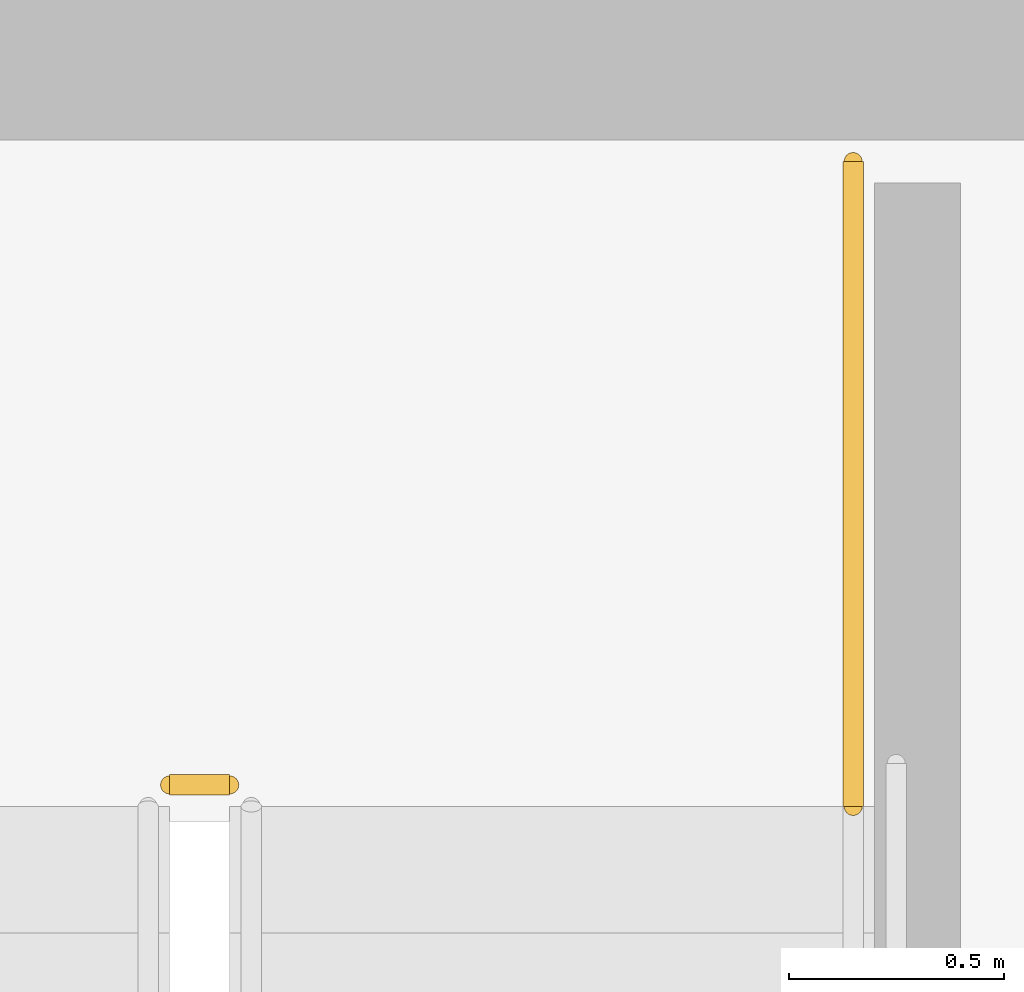
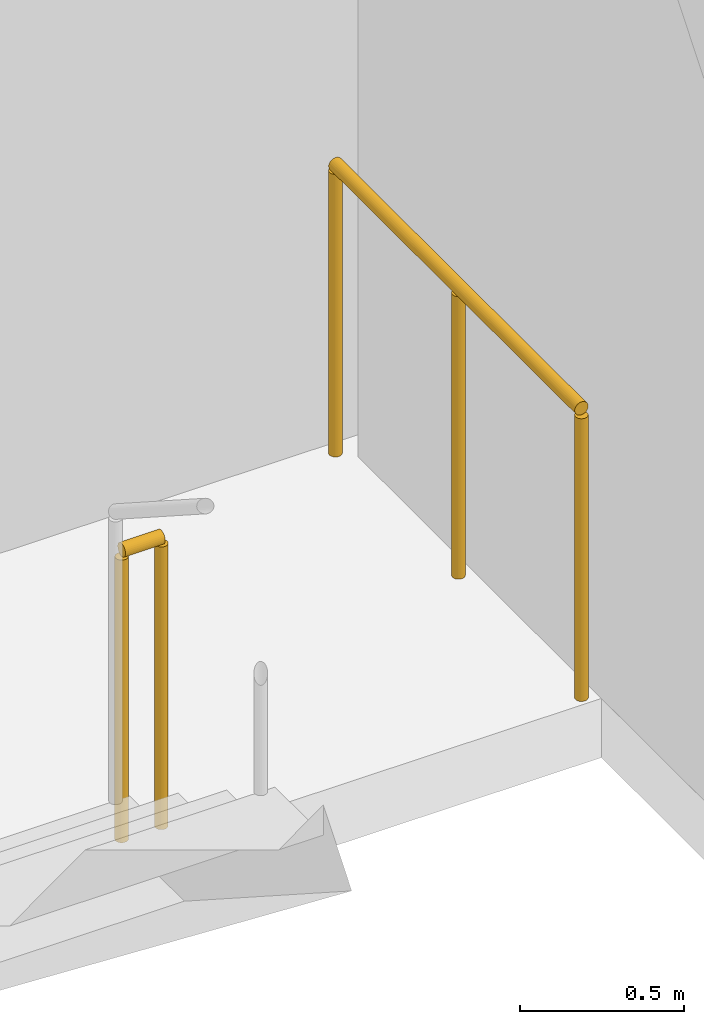
# One storey, part 35 of 35: 2 railings.
"""IFC4 building model written with IfcOpenShell, lengths in metres."""

from ifc_helpers import new_model, si_unit, direction, frame, origin, origin_2d, place, context, subcontext, project, spatial, circle, extrude, material, layer, layer_set, type_object, element, save


model = new_model("IFC4")

# Units and contexts
model_context = context("Model", 3, precision=1e-05, world=origin(), true_north=direction((0.0, 1.0)))
body_context = subcontext(model_context, "Body", "Model", "MODEL_VIEW")
ifc_project = project(units=[si_unit("LENGTHUNIT", "METRE"), si_unit("AREAUNIT", "SQUARE_METRE"), si_unit("VOLUMEUNIT", "CUBIC_METRE"), si_unit("PLANEANGLEUNIT", "RADIAN"), si_unit("MASSUNIT", "GRAM", prefix="KILO")], contexts=[model_context])

# Site, building, storey
site_placement = place(None, origin())
site = spatial("IfcSite", under=ifc_project, at=site_placement, CompositionType="ELEMENT")
building_placement = place(site_placement, origin())
building = spatial("IfcBuilding", under=site, at=building_placement, Name="Ndaravel Arena Tower", CompositionType="ELEMENT")
storey_placement = place(building_placement, frame((0.0, 0.0, 275.0)))
storey = spatial("IfcBuildingStorey", under=building, at=storey_placement, Name="L67", CompositionType="ELEMENT", Elevation=275.0)

# Railings
ifc_material = material(Name="Steel S355", Category="steel")
ifc_layer = layer(ifc_material, 0.06005859375)
ifc_layer_set = layer_set([ifc_layer], Name="Steel S355")
railing_type = type_object("IfcRailingType", Name="RAIL-STAIR-GD1100", PredefinedType="GUARDRAIL", material=ifc_layer_set)
railing_1_placement = place(storey_placement, frame((55.10009765625, 13.300048828125, 0.0)))
element("IfcRailing", 1, at=railing_1_placement, inside=storey, type_object=railing_type, Name="L67 ST-3 stair guard 4", PredefinedType="GUARDRAIL", context=body_context, shape_type="SweptSolid", body=[
    extrude(circle(Radius=0.02392578125, at=origin_2d()), frame((0.0, 0.0, 1.076171875), z_axis=(1.0, 0.0, 0.0), x_axis=(0.0, 1.0, 0.0)), (0.0, 0.0, 1.0), 0.139892578125),
    extrude(circle(Radius=0.02099609375, at=origin_2d()), origin(), (0.0, 0.0, 1.0), 1.052001953125),
    extrude(circle(Radius=0.02099609375, at=origin_2d()), frame((0.139892578125, 0.0, 0.0)), (0.0, 0.0, 1.0), 1.052001953125),
])
railing_2_placement = place(storey_placement, frame((56.68994140625, 14.75, 0.0)))
element("IfcRailing", 2, at=railing_2_placement, inside=storey, type_object=railing_type, Name="L67 ST-3 stair guard 5", PredefinedType="GUARDRAIL", context=body_context, shape_type="SweptSolid", body=[
    extrude(circle(Radius=0.02392578125, at=origin_2d()), frame((0.0, 0.0, 1.076171875), z_axis=(0.0, -1.0, 0.0), x_axis=(1.0, 0.0, 0.0)), (0.0, 0.0, 1.0), 1.5),
    extrude(circle(Radius=0.02099609375, at=origin_2d()), origin(), (0.0, 0.0, 1.0), 1.052001953125),
    extrude(circle(Radius=0.02099609375, at=origin_2d()), frame((0.0, -0.75, 0.0)), (0.0, 0.0, 1.0), 1.052001953125),
    extrude(circle(Radius=0.02099609375, at=origin_2d()), frame((0.0, -1.5, 0.0)), (0.0, 0.0, 1.0), 1.052001953125),
])

save(model, "model.ifc")
